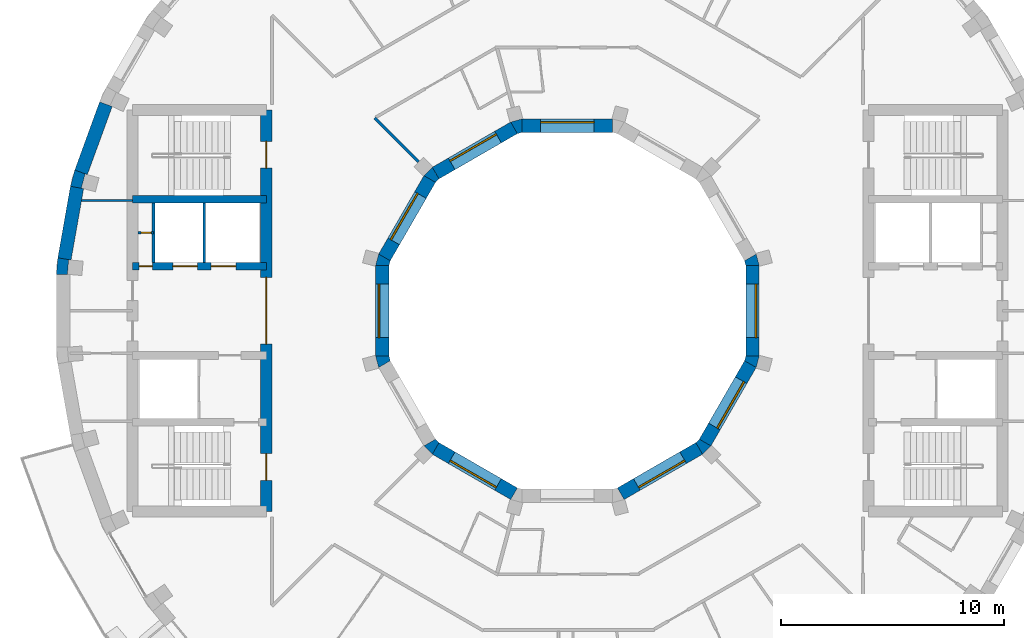
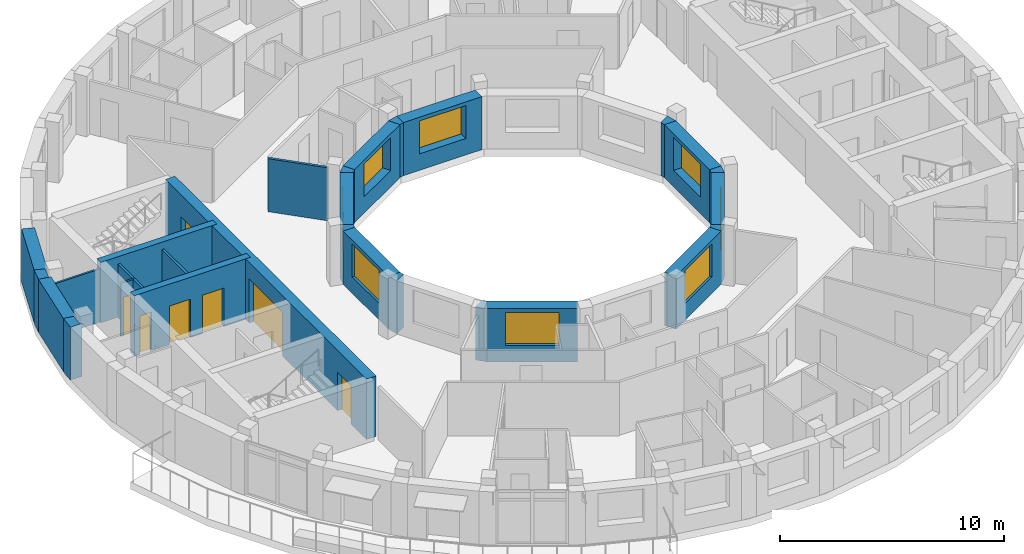
# One storey, part 6 of 12: 28 walls, 8 windows, 7 doors, 15 openings.
"""IFC4 building model written with IfcOpenShell, lengths in metres."""

import ifcopenshell
import ifcopenshell.guid

model = None  # the IFC model being written
_history = None  # IfcOwnerHistory: only IFC2X3 demands one
_inside = {}  # id of a spatial element -> (the spatial element, [elements in it])
_under = {}  # id of a project, library or spatial element -> (it, [spatial elements below it])
_declared = {}  # id of a project -> (the project, [libraries it declares])
_typed = {}  # id of a type object -> (the type object, [elements of that type])
_made_of = {}  # id of a material, layer set ... -> (it, [elements and type objects made of it])


def new_model(schema):
    """Start an empty IFC model of exactly this schema.

    Asked for "IFC4X3", IfcOpenShell would pick the latest addendum, in which some entities
    have other attributes; the version numbers below select the first issue.
    IFC2X3 requires an IfcOwnerHistory on every rooted entity: one is made here for all.
    """
    global model, _history
    if schema == "IFC4X3":
        model = ifcopenshell.file(schema_version=(4, 3, 0, 0))
    else:
        model = ifcopenshell.file(schema=schema)
    _inside.clear()
    _under.clear()
    _declared.clear()
    _typed.clear()
    _made_of.clear()
    _history = None
    if model.schema == "IFC2X3":
        org = make("IfcOrganization", Name="unknown")
        user = make(
            "IfcPersonAndOrganization",
            ThePerson=make("IfcPerson", FamilyName="unknown"),
            TheOrganization=org,
        )
        app = make(
            "IfcApplication",
            ApplicationDeveloper=org,
            Version="unknown",
            ApplicationFullName="unknown",
            ApplicationIdentifier="unknown",
        )
        _history = make(
            "IfcOwnerHistory",
            OwningUser=user,
            OwningApplication=app,
            ChangeAction="ADDED",
            CreationDate=0,
        )
    return model


def make(cls, **values):
    """One entity of the class cls with the attributes given. An attribute that is None is left unset."""
    return model.create_entity(
        cls, **{name: value for name, value in values.items() if value is not None}
    )


def rooted(cls, **values):
    """An entity with a GlobalId (a new one), such as an element, a storey or a relation."""
    return make(cls, GlobalId=ifcopenshell.guid.new(), OwnerHistory=_history, **values)


def si_unit(unit_type, name, prefix=None):
    """IfcSIUnit, for example si_unit("LENGTHUNIT", "METRE", prefix="MILLI")."""
    return make("IfcSIUnit", UnitType=unit_type, Prefix=prefix, Name=name)


def assignment(units):
    """IfcUnitAssignment: the units of a project."""
    return None if units is None else make("IfcUnitAssignment", Units=units)


def point(xyz):
    """IfcCartesianPoint."""
    return None if xyz is None else make("IfcCartesianPoint", Coordinates=xyz)


def direction(xyz):
    """IfcDirection."""
    return None if xyz is None else make("IfcDirection", DirectionRatios=xyz)


def frame(location, z_axis=None, x_axis=None):
    """IfcAxis2Placement3D, a coordinate frame: its origin and axes. An axis left out is left unset."""
    return make(
        "IfcAxis2Placement3D",
        Location=point(location),
        Axis=direction(z_axis),
        RefDirection=direction(x_axis),
    )


def frame_2d(location, x_axis=None):
    """IfcAxis2Placement2D, a coordinate frame in the plane: its origin and x axis."""
    return make(
        "IfcAxis2Placement2D", Location=point(location), RefDirection=direction(x_axis)
    )


def origin():
    """The frame at (0, 0, 0) with its axes left unset."""
    return frame((0.0, 0.0, 0.0))


def place(relative_to, where):
    """IfcLocalPlacement: puts the frame where relative to a parent placement (None: the world)."""
    return make(
        "IfcLocalPlacement", PlacementRelTo=relative_to, RelativePlacement=where
    )


def context(
    kind, dimensions, precision=None, world=None, true_north=None, identifier=None
):
    """IfcGeometricRepresentationContext, for example the 3D "Model" context."""
    return make(
        "IfcGeometricRepresentationContext",
        ContextIdentifier=identifier,
        ContextType=kind,
        CoordinateSpaceDimension=dimensions,
        Precision=precision,
        WorldCoordinateSystem=world,
        TrueNorth=true_north,
    )


def subcontext(parent, identifier, kind, view, scale=None):
    """IfcGeometricRepresentationSubContext, for example "Body" below "Model"."""
    return make(
        "IfcGeometricRepresentationSubContext",
        ContextIdentifier=identifier,
        ContextType=kind,
        ParentContext=parent,
        TargetScale=scale,
        TargetView=view,
    )


def project(units=None, contexts=None):
    """IfcProject with its units and contexts."""
    return rooted(
        "IfcProject",
        Name="project",
        RepresentationContexts=contexts,
        UnitsInContext=assignment(units),
    )


def spatial(cls, under=None, at=None, **own):
    """A site, building, storey or space (cls), placed at a placement, below another one or the project."""
    s = rooted(cls, ObjectPlacement=at, **own)
    if under is not None:
        _under.setdefault(under.id(), (under, []))[1].append(s)
    return s


def polyline(points):
    """IfcPolyline through the points."""
    return make("IfcPolyline", Points=[point(p) for p in points])


def profile(cls, at=None, kind="AREA", **sizes):
    """A parametric profile (cls). Its sizes go by their IFC names, for example OverallWidth=200.0."""
    return make(cls, ProfileType=kind, Position=at, **sizes)


def rectangle(**sizes):
    """IfcRectangleProfileDef."""
    return profile("IfcRectangleProfileDef", **sizes)


def outline(outer, holes=None, kind="AREA"):
    """IfcArbitraryClosedProfileDef: a profile drawn as a closed curve; with holes, ...WithVoids."""
    if holes is None:
        return make("IfcArbitraryClosedProfileDef", ProfileType=kind, OuterCurve=outer)
    return make(
        "IfcArbitraryProfileDefWithVoids",
        ProfileType=kind,
        OuterCurve=outer,
        InnerCurves=holes,
    )


def extrude(swept, where, along, depth):
    """IfcExtrudedAreaSolid: the profile swept, set in the frame where, extruded along a direction by depth."""
    return make(
        "IfcExtrudedAreaSolid",
        SweptArea=swept,
        Position=where,
        ExtrudedDirection=direction(along),
        Depth=depth,
    )


def shape(context_of_items, identifier, shape_type, items):
    """IfcShapeRepresentation: the items that make up one representation, for example the "Body"."""
    return make(
        "IfcShapeRepresentation",
        ContextOfItems=context_of_items,
        RepresentationIdentifier=identifier,
        RepresentationType=shape_type,
        Items=items,
    )


def material(Name=None, Category=None):
    """IfcMaterial."""
    return make("IfcMaterial", Name=Name, Category=Category)


def layer(
    of_material, thickness, ventilated=None, Name=None, Category=None, Priority=None
):
    """IfcMaterialLayer: one layer of a wall or slab, of a material (None: an air gap)."""
    return make(
        "IfcMaterialLayer",
        Material=of_material,
        LayerThickness=thickness,
        IsVentilated=ventilated,
        Name=Name,
        Category=Category,
        Priority=Priority,
    )


def layer_set(layers, Name=None):
    """IfcMaterialLayerSet."""
    return make("IfcMaterialLayerSet", MaterialLayers=layers, LayerSetName=Name)


def made_of(thing, what):
    """Note that an element or type object is made of a material, layer set ...; save() writes the relation."""
    if what is not None:
        _made_of.setdefault(what.id(), (what, []))[1].append(thing)
    return thing


def type_object(cls, material=None, **own):
    """A type object (cls), such as IfcWallType, which elements share."""
    return made_of(rooted(cls, **own), material)


def element(
    cls,
    number,
    at=None,
    inside=None,
    cuts=None,
    type_object=None,
    material=None,
    context=None,
    identifier="Body",
    shape_type=None,
    held_by="IfcProductDefinitionShape",
    body=None,
    shapes=None,
    **own,
):
    """One element of the class cls, such as IfcWall. Its Tag is "e" and its number.

    at: its placement. inside: the storey or other place that contains it. cuts: it is an
    opening in that element (IfcRelVoidsElement). A single representation is given by context,
    identifier, shape_type and body (its items); several are given by shapes. held_by: the class
    of the entity that holds the representations. save() writes the other relations.
    """
    e = rooted(cls, Tag="e%d" % number, ObjectPlacement=at, **own)
    if body is not None:
        shapes = [shape(context, identifier, shape_type, body)]
    if shapes is not None:
        e.Representation = make(held_by, Representations=shapes)
    if inside is not None:
        _inside.setdefault(inside.id(), (inside, []))[1].append(e)
    if cuts is not None:
        rooted(
            "IfcRelVoidsElement", RelatingBuildingElement=cuts, RelatedOpeningElement=e
        )
    if type_object is not None:
        _typed.setdefault(type_object.id(), (type_object, []))[1].append(e)
    return made_of(e, material)


def fill(opening, filler):
    """IfcRelFillsElement: the door or window that sits in an opening."""
    return rooted(
        "IfcRelFillsElement",
        RelatingOpeningElement=opening,
        RelatedBuildingElement=filler,
    )


def aggregate(whole, parts):
    """IfcRelAggregates: a whole, such as a stair, and the parts it consists of."""
    return rooted("IfcRelAggregates", RelatingObject=whole, RelatedObjects=parts)


def save(model, path):
    """Write the relations noted so far, then the file.

    IfcRelAggregates (storeys below a building ...), IfcRelContainedInSpatialStructure (elements
    in a storey), IfcRelDefinesByType, IfcRelAssociatesMaterial and IfcRelDeclares: one each for
    every whole, place, type object, material and project.
    """
    for whole, parts in _under.values():
        aggregate(whole, parts)
    for where, things in _inside.values():
        rooted(
            "IfcRelContainedInSpatialStructure",
            RelatedElements=things,
            RelatingStructure=where,
        )
    for kind, things in _typed.values():
        rooted("IfcRelDefinesByType", RelatedObjects=things, RelatingType=kind)
    for what, things in _made_of.values():
        rooted("IfcRelAssociatesMaterial", RelatedObjects=things, RelatingMaterial=what)
    for by, libraries in _declared.values():
        rooted("IfcRelDeclares", RelatingContext=by, RelatedDefinitions=libraries)
    model.write(path)


model = new_model("IFC4")

# Units and contexts
model_context = context("Model", 3, precision=1e-05, world=origin(), true_north=direction((0.0, 1.0)))
body_context = subcontext(model_context, "Body", "Model", "MODEL_VIEW")
ifc_project = project(units=[si_unit("LENGTHUNIT", "METRE"), si_unit("AREAUNIT", "SQUARE_METRE"), si_unit("VOLUMEUNIT", "CUBIC_METRE"), si_unit("PLANEANGLEUNIT", "RADIAN"), si_unit("MASSUNIT", "GRAM", prefix="KILO")], contexts=[model_context])

# Site, building, storey
site_placement = place(None, origin())
site = spatial("IfcSite", under=ifc_project, at=site_placement, CompositionType="ELEMENT")
building_placement = place(site_placement, origin())
building = spatial("IfcBuilding", under=site, at=building_placement, Name="Saqina Gate Tower", CompositionType="ELEMENT")
storey_placement = place(building_placement, frame((0.0, 0.0, 266.0)))
storey = spatial("IfcBuildingStorey", under=building, at=storey_placement, Name="L76", CompositionType="ELEMENT", Elevation=266.0)

# Walls
ifc_material_1 = material(Name="Brick masonry (buff)", Category="masonry")
wall_type_1 = type_object("IfcWallType", Name="BRICK PIER COPING BUFF", PredefinedType="SOLIDWALL", material=ifc_material_1)
wall_1_placement = place(storey_placement, origin())
element("IfcWall", 1, at=wall_1_placement, inside=storey, type_object=wall_type_1, Name="Pier cap L76 column 17", PredefinedType="SOLIDWALL", context=body_context, shape_type="SweptSolid", body=[
    extrude(outline(polyline([(-22.281982421875, 5.579833984375), (-21.691162109375, 5.4755859375), (-21.793212890625, 5.5029296875), (-21.625, 6.130859375), (-21.52294921875, 6.103515625), (-22.0869140625, 6.30859375), (-22.281982421875, 5.579833984375)])), origin(), (0.0, 0.0, 1.0), 2.89990234375),
])
wall_2_placement = place(storey_placement, origin())
element("IfcWall", 2, at=wall_2_placement, inside=storey, type_object=wall_type_1, Name="Pier cap L76 column 18", PredefinedType="SOLIDWALL", context=body_context, shape_type="SweptSolid", body=[
    extrude(outline(polyline([(-22.8466796875, 2.377685546875), (-22.91259765625, 1.625732421875), (-22.3125, 1.625732421875), (-22.417724609375, 1.635009765625), (-22.361083984375, 2.28271484375), (-22.255859375, 2.2734375), (-22.8466796875, 2.377685546875)])), origin(), (0.0, 0.0, 1.0), 2.89990234375),
])

# Wall, opening, door
ifc_material_2 = material(Name="Gypsum board on steel studs", Category="steel")
ifc_layer_1 = layer(ifc_material_2, 0.10009765625)
ifc_layer_set_1 = layer_set([ifc_layer_1], Name="CORE PARTITION")
wall_type_2 = type_object("IfcWallType", Name="CORE PARTITION", PredefinedType="PARTITIONING", material=ifc_layer_set_1)
wall_3_placement = place(storey_placement, frame((-18.56005859375, 3.5, 0.0), z_axis=(0.0, 0.0, 1.0), x_axis=(-1.0, 0.0, 0.0)))
wall_3 = element("IfcWall", 3, at=wall_3_placement, inside=storey, type_object=wall_type_2, Name="L76-CP-W01", PredefinedType="PARTITIONING", context=body_context, shape_type="SweptSolid", body=[
    extrude(rectangle(XDim=0.68994140625, YDim=0.10009765625, at=frame_2d((0.344970703125, 0.0))), origin(), (0.0, 0.0, 1.0), 2.89990234375),
])
opening_1_placement = place(wall_3_placement, frame((0.10009765625, 0.0, 0.0)))
opening_1 = element("IfcOpeningElement", 4, at=opening_1_placement, cuts=wall_3, Name="Opening G22-D105", PredefinedType="OPENING", context=body_context, shape_type="SweptSolid", body=[
    extrude(rectangle(XDim=0.449951171875, YDim=2.10009765625, at=frame_2d((0.22509765625, 1.050048828125))), frame((0.0, 0.06201171875, 0.0), z_axis=(0.0, -1.0, 0.0), x_axis=(1.0, 0.0, 0.0)), (0.0, 0.0, 1.0), 0.1240234375),
])
ifc_material_3 = material(Name="Steel-framed fire door leaf, EI 60", Category="steel")
door_type_1 = type_object("IfcDoorType", Name="SERVICE ROOM DOOR 450", OperationType="SINGLE_SWING_LEFT", PredefinedType="DOOR", material=ifc_material_3)
door_1_placement = place(opening_1_placement, origin())
door_1 = element("IfcDoor", 5, at=door_1_placement, inside=storey, type_object=door_type_1, Name="L76-CD-W16", OperationType="SINGLE_SWING_RIGHT", OverallHeight=2.10009765625, OverallWidth=0.449951171875, PredefinedType="DOOR", context=body_context, shape_type="SweptSolid", body=[
    extrude(rectangle(XDim=0.449951171875, YDim=2.10009765625, at=frame_2d((0.22509765625, 1.050048828125))), frame((0.0, 0.02490234375, 0.0), z_axis=(0.0, -1.0, 0.0), x_axis=(1.0, 0.0, 0.0)), (0.0, 0.0, 1.0), 0.050048828125),
])
fill(opening_1, door_1)

# Walls
wall_4_placement = place(storey_placement, frame((-19.5, 4.949951171875, 0.0), z_axis=(0.0, 0.0, 1.0), x_axis=(-1.0, 0.0, 0.0)))
element("IfcWall", 6, at=wall_4_placement, inside=storey, type_object=wall_type_2, Name="L76-CP-W02", PredefinedType="PARTITIONING", context=body_context, shape_type="SweptSolid", body=[
    extrude(rectangle(XDim=2.283935546875, YDim=0.10009765625, at=frame_2d((1.14208984375, 0.0))), origin(), (0.0, 0.0, 1.0), 2.89990234375),
])
ifc_material_4 = material(Name="Glazed ceramic tile", Category="ceramic")
ifc_layer_2 = layer(ifc_material_4, 0.60009765625)
ifc_layer_set_2 = layer_set([ifc_layer_2], Name="FW-TILE")
wall_type_3 = type_object("IfcWallType", Name="FW-TILE", PredefinedType="SOLIDWALL", material=ifc_layer_set_2)
wall_5_placement = place(storey_placement, frame((-21.986572265625, 5.52783203125, 0.0), z_axis=(0.0, 0.0, 1.0), x_axis=(-0.173656842178, -0.984806225186, 0.0)))
element("IfcWall", 7, at=wall_5_placement, inside=storey, type_object=wall_type_3, Name="Facade wall L76 facet 17", PredefinedType="SOLIDWALL", context=body_context, shape_type="SweptSolid", body=[
    extrude(rectangle(XDim=3.251708984375, YDim=0.60009765625, at=frame_2d((1.6259765625, 0.0))), origin(), (0.0, 0.0, 1.0), 2.89990234375),
])
ifc_material_5 = material(Name="Glazed ceramic tile (white)", Category="ceramic")
ifc_layer_3 = layer(ifc_material_5, 0.60009765625)
ifc_layer_set_3 = layer_set([ifc_layer_3], Name="FW-TILE-WH")
wall_type_4 = type_object("IfcWallType", Name="FW-TILE-WH", PredefinedType="SOLIDWALL", material=ifc_layer_set_3)
wall_6_placement = place(storey_placement, frame((-20.692626953125, 9.26171875, 0.0), z_axis=(0.0, 0.0, 1.0), x_axis=(-0.342056509473, -0.939679383794, 0.0)))
element("IfcWall", 8, at=wall_6_placement, inside=storey, type_object=wall_type_4, Name="Facade wall L76 facet 16", PredefinedType="SOLIDWALL", context=body_context, shape_type="SweptSolid", body=[
    extrude(rectangle(XDim=3.251708984375, YDim=0.60009765625, at=frame_2d((1.6259765625, 0.0))), origin(), (0.0, 0.0, 1.0), 2.89990234375),
])

# Wall, opening, window
ifc_material_6 = material(Name="Glazed ceramic tile", Category="ceramic")
ifc_layer_4 = layer(ifc_material_6, 0.60009765625)
ifc_layer_set_4 = layer_set([ifc_layer_4], Name="IW-TILE")
wall_type_5 = type_object("IfcWallType", Name="IW-TILE", PredefinedType="SOLIDWALL", material=ifc_layer_set_4)
wall_7_placement = place(storey_placement, frame((2.029296875, 8.300048828125, 0.0), z_axis=(0.0, 0.0, 1.0), x_axis=(-1.0, 0.0, 0.0)))
wall_7 = element("IfcWall", 9, at=wall_7_placement, inside=storey, type_object=wall_type_5, Name="Well wall L76 facet 3", PredefinedType="SOLIDWALL", context=body_context, shape_type="SweptSolid", body=[
    extrude(rectangle(XDim=4.05859375, YDim=0.60009765625, at=frame_2d((2.029296875, 0.0))), origin(), (0.0, 0.0, 1.0), 2.89990234375),
])
opening_2_placement = place(wall_7_placement, frame((0.829345703125, 0.0, 0.89990234375)))
opening_2 = element("IfcOpeningElement", 10, at=opening_2_placement, cuts=wall_7, Name="Opening G22-W25", PredefinedType="OPENING", context=body_context, shape_type="SweptSolid", body=[
    extrude(rectangle(XDim=2.39990234375, YDim=1.800048828125, at=frame_2d((1.199951171875, 0.89990234375))), frame((0.0, 0.31201171875, 0.0), z_axis=(0.0, -1.0, 0.0), x_axis=(1.0, 0.0, 0.0)), (0.0, 0.0, 1.0), 0.6240234375),
])
ifc_material_7 = material(Name="Aluminium glazing", Category="aluminium")
window_type = type_object("IfcWindowType", Name="WN-W", PartitioningType="SINGLE_PANEL", PredefinedType="WINDOW", material=ifc_material_7)
window_1_placement = place(opening_2_placement, origin())
window_1 = element("IfcWindow", 11, at=window_1_placement, inside=storey, type_object=window_type, Name="Well window L76 facet 3", OverallHeight=1.800048828125, OverallWidth=2.39990234375, PartitioningType="SINGLE_PANEL", PredefinedType="WINDOW", context=body_context, shape_type="SweptSolid", body=[
    extrude(rectangle(XDim=2.39990234375, YDim=1.800048828125, at=frame_2d((1.199951171875, 0.89990234375))), frame((0.0, -0.119873046875, 0.0), z_axis=(0.0, -1.0, 0.0), x_axis=(1.0, 0.0, 0.0)), (0.0, 0.0, 1.0), 0.06005859375),
])
fill(opening_2, window_1)

wall_8_placement = place(storey_placement, frame((-2.392578125, 8.20263671875, 0.0), z_axis=(0.0, 0.0, 1.0), x_axis=(-0.866028316509, -0.499994954979, 0.0)))
wall_8 = element("IfcWall", 12, at=wall_8_placement, inside=storey, type_object=wall_type_5, Name="Well wall L76 facet 4", PredefinedType="SOLIDWALL", context=body_context, shape_type="SweptSolid", body=[
    extrude(rectangle(XDim=4.05859375, YDim=0.60009765625, at=frame_2d((2.029296875, 0.0))), origin(), (0.0, 0.0, 1.0), 2.89990234375),
])
opening_3_placement = place(wall_8_placement, frame((0.829345703125, 0.0, 0.89990234375)))
opening_3 = element("IfcOpeningElement", 13, at=opening_3_placement, cuts=wall_8, Name="Opening G22-W26", PredefinedType="OPENING", context=body_context, shape_type="SweptSolid", body=[
    extrude(rectangle(XDim=2.39990234375, YDim=1.800048828125, at=frame_2d((1.199951171875, 0.89990234375))), frame((0.0, 0.31201171875, 0.0), z_axis=(0.0, -1.0, 0.0), x_axis=(1.0, 0.0, 0.0)), (0.0, 0.0, 1.0), 0.6240234375),
])
window_2_placement = place(opening_3_placement, origin())
window_2 = element("IfcWindow", 14, at=window_2_placement, inside=storey, type_object=window_type, Name="Well window L76 facet 4", OverallHeight=1.800048828125, OverallWidth=2.39990234375, PartitioningType="SINGLE_PANEL", PredefinedType="WINDOW", context=body_context, shape_type="SweptSolid", body=[
    extrude(rectangle(XDim=2.39990234375, YDim=1.800048828125, at=frame_2d((1.199951171875, 0.89990234375))), frame((0.0, -0.119873046875, 0.0), z_axis=(0.0, -1.0, 0.0), x_axis=(1.0, 0.0, 0.0)), (0.0, 0.0, 1.0), 0.06005859375),
])
fill(opening_3, window_2)

wall_9_placement = place(storey_placement, frame((-6.17333984375, 5.907470703125, 0.0), z_axis=(0.0, 0.0, 1.0), x_axis=(-0.499994954979, -0.866028316509, 0.0)))
wall_9 = element("IfcWall", 15, at=wall_9_placement, inside=storey, type_object=wall_type_5, Name="Well wall L76 facet 5", PredefinedType="SOLIDWALL", context=body_context, shape_type="SweptSolid", body=[
    extrude(rectangle(XDim=4.05859375, YDim=0.60009765625, at=frame_2d((2.029296875, 0.0))), origin(), (0.0, 0.0, 1.0), 2.89990234375),
])
opening_4_placement = place(wall_9_placement, frame((0.829345703125, 0.0, 0.89990234375)))
opening_4 = element("IfcOpeningElement", 16, at=opening_4_placement, cuts=wall_9, Name="Opening G22-W27", PredefinedType="OPENING", context=body_context, shape_type="SweptSolid", body=[
    extrude(rectangle(XDim=2.39990234375, YDim=1.800048828125, at=frame_2d((1.199951171875, 0.89990234375))), frame((0.0, 0.31201171875, 0.0), z_axis=(0.0, -1.0, 0.0), x_axis=(1.0, 0.0, 0.0)), (0.0, 0.0, 1.0), 0.6240234375),
])
window_3_placement = place(opening_4_placement, origin())
window_3 = element("IfcWindow", 17, at=window_3_placement, inside=storey, type_object=window_type, Name="Well window L76 facet 5", OverallHeight=1.800048828125, OverallWidth=2.39990234375, PartitioningType="SINGLE_PANEL", PredefinedType="WINDOW", context=body_context, shape_type="SweptSolid", body=[
    extrude(rectangle(XDim=2.39990234375, YDim=1.800048828125, at=frame_2d((1.199951171875, 0.89990234375))), frame((0.0, -0.119873046875, 0.0), z_axis=(0.0, -1.0, 0.0), x_axis=(1.0, 0.0, 0.0)), (0.0, 0.0, 1.0), 0.06005859375),
])
fill(opening_4, window_3)

wall_10_placement = place(storey_placement, frame((-8.300048828125, 2.029296875, 0.0), z_axis=(0.0, 0.0, 1.0), x_axis=(0.0, -1.0, 0.0)))
wall_10 = element("IfcWall", 18, at=wall_10_placement, inside=storey, type_object=wall_type_5, Name="Well wall L76 facet 6", PredefinedType="SOLIDWALL", context=body_context, shape_type="SweptSolid", body=[
    extrude(rectangle(XDim=4.05859375, YDim=0.60009765625, at=frame_2d((2.029296875, 0.0))), origin(), (0.0, 0.0, 1.0), 2.89990234375),
])
opening_5_placement = place(wall_10_placement, frame((0.829345703125, 0.0, 0.89990234375)))
opening_5 = element("IfcOpeningElement", 19, at=opening_5_placement, cuts=wall_10, Name="Opening G22-W28", PredefinedType="OPENING", context=body_context, shape_type="SweptSolid", body=[
    extrude(rectangle(XDim=2.39990234375, YDim=1.800048828125, at=frame_2d((1.199951171875, 0.89990234375))), frame((0.0, 0.31201171875, 0.0), z_axis=(0.0, -1.0, 0.0), x_axis=(1.0, 0.0, 0.0)), (0.0, 0.0, 1.0), 0.6240234375),
])
window_4_placement = place(opening_5_placement, origin())
window_4 = element("IfcWindow", 20, at=window_4_placement, inside=storey, type_object=window_type, Name="Well window L76 facet 6", OverallHeight=1.800048828125, OverallWidth=2.39990234375, PartitioningType="SINGLE_PANEL", PredefinedType="WINDOW", context=body_context, shape_type="SweptSolid", body=[
    extrude(rectangle(XDim=2.39990234375, YDim=1.800048828125, at=frame_2d((1.199951171875, 0.89990234375))), frame((0.0, -0.119873046875, 0.0), z_axis=(0.0, -1.0, 0.0), x_axis=(1.0, 0.0, 0.0)), (0.0, 0.0, 1.0), 0.06005859375),
])
fill(opening_5, window_4)

wall_11_placement = place(storey_placement, frame((-5.907470703125, -6.17333984375, 0.0), z_axis=(0.0, 0.0, 1.0), x_axis=(0.866028316509, -0.499994954979, 0.0)))
wall_11 = element("IfcWall", 21, at=wall_11_placement, inside=storey, type_object=wall_type_5, Name="Well wall L76 facet 8", PredefinedType="SOLIDWALL", context=body_context, shape_type="SweptSolid", body=[
    extrude(rectangle(XDim=4.05859375, YDim=0.60009765625, at=frame_2d((2.029296875, 0.0))), origin(), (0.0, 0.0, 1.0), 2.89990234375),
])
opening_6_placement = place(wall_11_placement, frame((0.829345703125, 0.0, 0.89990234375)))
opening_6 = element("IfcOpeningElement", 22, at=opening_6_placement, cuts=wall_11, Name="Opening G22-W30", PredefinedType="OPENING", context=body_context, shape_type="SweptSolid", body=[
    extrude(rectangle(XDim=2.39990234375, YDim=1.800048828125, at=frame_2d((1.199951171875, 0.89990234375))), frame((0.0, 0.31201171875, 0.0), z_axis=(0.0, -1.0, 0.0), x_axis=(1.0, 0.0, 0.0)), (0.0, 0.0, 1.0), 0.6240234375),
])
window_5_placement = place(opening_6_placement, origin())
window_5 = element("IfcWindow", 23, at=window_5_placement, inside=storey, type_object=window_type, Name="Well window L76 facet 8", OverallHeight=1.800048828125, OverallWidth=2.39990234375, PartitioningType="SINGLE_PANEL", PredefinedType="WINDOW", context=body_context, shape_type="SweptSolid", body=[
    extrude(rectangle(XDim=2.39990234375, YDim=1.800048828125, at=frame_2d((1.199951171875, 0.89990234375))), frame((0.0, -0.119873046875, 0.0), z_axis=(0.0, -1.0, 0.0), x_axis=(1.0, 0.0, 0.0)), (0.0, 0.0, 1.0), 0.06005859375),
])
fill(opening_6, window_5)

wall_12_placement = place(storey_placement, frame((2.392578125, -8.20263671875, 0.0), z_axis=(0.0, 0.0, 1.0), x_axis=(0.866028316509, 0.499994954979, 0.0)))
wall_12 = element("IfcWall", 24, at=wall_12_placement, inside=storey, type_object=wall_type_5, Name="Well wall L76 facet 10", PredefinedType="SOLIDWALL", context=body_context, shape_type="SweptSolid", body=[
    extrude(rectangle(XDim=4.05859375, YDim=0.60009765625, at=frame_2d((2.029296875, 0.0))), origin(), (0.0, 0.0, 1.0), 2.89990234375),
])
opening_7_placement = place(wall_12_placement, frame((0.829345703125, 0.0, 0.89990234375)))
opening_7 = element("IfcOpeningElement", 25, at=opening_7_placement, cuts=wall_12, Name="Opening G22-W32", PredefinedType="OPENING", context=body_context, shape_type="SweptSolid", body=[
    extrude(rectangle(XDim=2.39990234375, YDim=1.800048828125, at=frame_2d((1.199951171875, 0.89990234375))), frame((0.0, 0.31201171875, 0.0), z_axis=(0.0, -1.0, 0.0), x_axis=(1.0, 0.0, 0.0)), (0.0, 0.0, 1.0), 0.6240234375),
])
window_6_placement = place(opening_7_placement, origin())
window_6 = element("IfcWindow", 26, at=window_6_placement, inside=storey, type_object=window_type, Name="Well window L76 facet 10", OverallHeight=1.800048828125, OverallWidth=2.39990234375, PartitioningType="SINGLE_PANEL", PredefinedType="WINDOW", context=body_context, shape_type="SweptSolid", body=[
    extrude(rectangle(XDim=2.39990234375, YDim=1.800048828125, at=frame_2d((1.199951171875, 0.89990234375))), frame((0.0, -0.119873046875, 0.0), z_axis=(0.0, -1.0, 0.0), x_axis=(1.0, 0.0, 0.0)), (0.0, 0.0, 1.0), 0.06005859375),
])
fill(opening_7, window_6)

wall_13_placement = place(storey_placement, frame((6.17333984375, -5.907470703125, 0.0), z_axis=(0.0, 0.0, 1.0), x_axis=(0.499994954979, 0.866028316509, 0.0)))
wall_13 = element("IfcWall", 27, at=wall_13_placement, inside=storey, type_object=wall_type_5, Name="Well wall L76 facet 11", PredefinedType="SOLIDWALL", context=body_context, shape_type="SweptSolid", body=[
    extrude(rectangle(XDim=4.05859375, YDim=0.60009765625, at=frame_2d((2.029296875, 0.0))), origin(), (0.0, 0.0, 1.0), 2.89990234375),
])
opening_8_placement = place(wall_13_placement, frame((0.829345703125, 0.0, 0.89990234375)))
opening_8 = element("IfcOpeningElement", 28, at=opening_8_placement, cuts=wall_13, Name="Opening G22-W33", PredefinedType="OPENING", context=body_context, shape_type="SweptSolid", body=[
    extrude(rectangle(XDim=2.39990234375, YDim=1.800048828125, at=frame_2d((1.199951171875, 0.89990234375))), frame((0.0, 0.31201171875, 0.0), z_axis=(0.0, -1.0, 0.0), x_axis=(1.0, 0.0, 0.0)), (0.0, 0.0, 1.0), 0.6240234375),
])
window_7_placement = place(opening_8_placement, origin())
window_7 = element("IfcWindow", 29, at=window_7_placement, inside=storey, type_object=window_type, Name="Well window L76 facet 11", OverallHeight=1.800048828125, OverallWidth=2.39990234375, PartitioningType="SINGLE_PANEL", PredefinedType="WINDOW", context=body_context, shape_type="SweptSolid", body=[
    extrude(rectangle(XDim=2.39990234375, YDim=1.800048828125, at=frame_2d((1.199951171875, 0.89990234375))), frame((0.0, -0.119873046875, 0.0), z_axis=(0.0, -1.0, 0.0), x_axis=(1.0, 0.0, 0.0)), (0.0, 0.0, 1.0), 0.06005859375),
])
fill(opening_8, window_7)

wall_14_placement = place(storey_placement, frame((8.300048828125, -2.029296875, 0.0), z_axis=(0.0, 0.0, 1.0), x_axis=(0.0, 1.0, 0.0)))
wall_14 = element("IfcWall", 30, at=wall_14_placement, inside=storey, type_object=wall_type_5, Name="Well wall L76 facet 12", PredefinedType="SOLIDWALL", context=body_context, shape_type="SweptSolid", body=[
    extrude(rectangle(XDim=4.05859375, YDim=0.60009765625, at=frame_2d((2.029296875, 0.0))), origin(), (0.0, 0.0, 1.0), 2.89990234375),
])
opening_9_placement = place(wall_14_placement, frame((0.829345703125, 0.0, 0.89990234375)))
opening_9 = element("IfcOpeningElement", 31, at=opening_9_placement, cuts=wall_14, Name="Opening G22-W34", PredefinedType="OPENING", context=body_context, shape_type="SweptSolid", body=[
    extrude(rectangle(XDim=2.39990234375, YDim=1.800048828125, at=frame_2d((1.199951171875, 0.89990234375))), frame((0.0, 0.31201171875, 0.0), z_axis=(0.0, -1.0, 0.0), x_axis=(1.0, 0.0, 0.0)), (0.0, 0.0, 1.0), 0.6240234375),
])
window_8_placement = place(opening_9_placement, origin())
window_8 = element("IfcWindow", 32, at=window_8_placement, inside=storey, type_object=window_type, Name="Well window L76 facet 12", OverallHeight=1.800048828125, OverallWidth=2.39990234375, PartitioningType="SINGLE_PANEL", PredefinedType="WINDOW", context=body_context, shape_type="SweptSolid", body=[
    extrude(rectangle(XDim=2.39990234375, YDim=1.800048828125, at=frame_2d((1.199951171875, 0.89990234375))), frame((0.0, -0.119873046875, 0.0), z_axis=(0.0, -1.0, 0.0), x_axis=(1.0, 0.0, 0.0)), (0.0, 0.0, 1.0), 0.06005859375),
])
fill(opening_9, window_8)

# Walls
ifc_material_8 = material(Name="Gypsum board on steel studs, 125 mm, fire rated", Category="steel")
ifc_layer_5 = layer(ifc_material_8, 0.125)
ifc_layer_set_5 = layer_set([ifc_layer_5], Name="PARTITION EI 30 125")
wall_type_6 = type_object("IfcWallType", Name="PARTITION EI 30 125", PredefinedType="PARTITIONING", material=ifc_layer_set_5)
wall_15_placement = place(storey_placement, frame((-8.64599609375, 8.64599609375, 0.0), z_axis=(0.0, 0.0, 1.0), x_axis=(0.707106781187, -0.707106781187, 0.0)))
element("IfcWall", 33, at=wall_15_placement, inside=storey, type_object=wall_type_6, Name="PARTITION PW1-05", PredefinedType="PARTITIONING", context=body_context, shape_type="SweptSolid", body=[
    extrude(rectangle(XDim=2.784912109375, YDim=0.125, at=frame_2d((1.392578125, 0.0))), origin(), (0.0, 0.0, 1.0), 2.89990234375),
])
ifc_material_9 = material(Name="Autoclaved aerated concrete block", Category="concrete")
ifc_layer_6 = layer(ifc_material_9, 0.1201171875)
ifc_layer_set_6 = layer_set([ifc_layer_6], Name="SHAFT PARTITION")
wall_type_7 = type_object("IfcWallType", Name="SHAFT PARTITION", PredefinedType="PARTITIONING", material=ifc_layer_set_6)
for number, where, z_axis, x_axis, name in (
    (34, (-16.280029296875, 2.175048828125, 0.0), (0.0, 0.0, 1.0), (0.0, 1.0, 0.0), "L76-CP-W06"),
    (35, (-18.56005859375, 2.175048828125, 0.0), (0.0, 0.0, 1.0), (0.0, 1.0, 0.0), "L76-CP-W07"),
):
    element("IfcWall", number, at=place(storey_placement, frame(where, z_axis=z_axis, x_axis=x_axis)), inside=storey, type_object=wall_type_7, Name=name, PredefinedType="PARTITIONING", context=body_context, shape_type="SweptSolid", body=[
        extrude(rectangle(XDim=2.64990234375, YDim=0.1201171875, at=frame_2d((1.324951171875, 0.0))), origin(), (0.0, 0.0, 1.0), 2.89990234375),
    ])
ifc_material_10 = material(Name="Concrete C60/75", Category="concrete")
ifc_layer_7 = layer(ifc_material_10, 0.35009765625)
ifc_layer_set_7 = layer_set([ifc_layer_7], Name="Concrete C60/75")
wall_type_8 = type_object("IfcWallType", Name="STR-CORE WALL-D-I", PredefinedType="SHEAR", material=ifc_layer_set_7)
wall_16_placement = place(storey_placement, frame((-13.5, 5.0, 0.0), z_axis=(0.0, 0.0, 1.0), x_axis=(-1.0, 0.0, 0.0)))
element("IfcWall", 36, at=wall_16_placement, inside=storey, type_object=wall_type_8, Name="CORE WALL L76 W-X1", PredefinedType="SHEAR", context=body_context, shape_type="SweptSolid", body=[
    extrude(rectangle(XDim=6.0, YDim=0.35009765625, at=frame_2d((3.0, 0.0))), origin(), (0.0, 0.0, 1.0), 3.300048828125),
])

# Wall, openings, doors
wall_17_placement = place(storey_placement, frame((-13.5, 2.0, 0.0), z_axis=(0.0, 0.0, 1.0), x_axis=(-1.0, 0.0, 0.0)))
wall_17 = element("IfcWall", 37, at=wall_17_placement, inside=storey, type_object=wall_type_8, Name="CORE WALL L76 W-L1", PredefinedType="SHEAR", context=body_context, shape_type="SweptSolid", body=[
    extrude(rectangle(XDim=6.0, YDim=0.35009765625, at=frame_2d((3.0, 0.0))), origin(), (0.0, 0.0, 1.0), 3.300048828125),
])
opening_10_placement = place(wall_17_placement, frame((1.3701171875, 0.0, 0.0)))
opening_10 = element("IfcOpeningElement", 38, at=opening_10_placement, cuts=wall_17, Name="Opening G22-LD4", PredefinedType="OPENING", context=body_context, shape_type="SweptSolid", body=[
    extrude(rectangle(XDim=1.10009765625, YDim=2.10009765625, at=frame_2d((0.550048828125, 1.050048828125))), frame((0.0, 0.18701171875, 0.0), z_axis=(0.0, -1.0, 0.0), x_axis=(1.0, 0.0, 0.0)), (0.0, 0.0, 1.0), 0.3740234375),
])
opening_11_placement = place(wall_17_placement, frame((3.090087890625, 0.0, 0.0)))
opening_11 = element("IfcOpeningElement", 39, at=opening_11_placement, cuts=wall_17, Name="Opening G22-LD5", PredefinedType="OPENING", context=body_context, shape_type="SweptSolid", body=[
    extrude(rectangle(XDim=1.10009765625, YDim=2.10009765625, at=frame_2d((0.550048828125, 1.050048828125))), frame((0.0, 0.18701171875, 0.0), z_axis=(0.0, -1.0, 0.0), x_axis=(1.0, 0.0, 0.0)), (0.0, 0.0, 1.0), 0.3740234375),
])
opening_12_placement = place(wall_17_placement, frame((5.10498046875, 0.0, 0.0)))
opening_12 = element("IfcOpeningElement", 40, at=opening_12_placement, cuts=wall_17, Name="Opening G22-D100", PredefinedType="OPENING", context=body_context, shape_type="SweptSolid", body=[
    extrude(rectangle(XDim=0.60009765625, YDim=2.10009765625, at=frame_2d((0.300048828125, 1.050048828125))), frame((0.0, 0.18701171875, 0.0), z_axis=(0.0, -1.0, 0.0), x_axis=(1.0, 0.0, 0.0)), (0.0, 0.0, 1.0), 0.3740234375),
])
ifc_material_11 = material(Name="Stainless steel", Category="steel")
door_type_2 = type_object("IfcDoorType", Name="LANDING DOOR", OperationType="DOUBLE_DOOR_SLIDING", PredefinedType="DOOR", material=ifc_material_11)
door_2_placement = place(opening_10_placement, origin())
door_2 = element("IfcDoor", 41, at=door_2_placement, inside=storey, type_object=door_type_2, Name="LANDING DOOR HR3", OperationType="DOUBLE_DOOR_SLIDING", OverallHeight=2.10009765625, OverallWidth=1.10009765625, PredefinedType="DOOR", context=body_context, shape_type="SweptSolid", body=[
    extrude(rectangle(XDim=1.10009765625, YDim=2.10009765625, at=frame_2d((0.550048828125, 1.050048828125))), frame((0.0, 0.02490234375, 0.0), z_axis=(0.0, -1.0, 0.0), x_axis=(1.0, 0.0, 0.0)), (0.0, 0.0, 1.0), 0.050048828125),
])
fill(opening_10, door_2)
door_3_placement = place(opening_11_placement, origin())
door_3 = element("IfcDoor", 42, at=door_3_placement, inside=storey, type_object=door_type_2, Name="LANDING DOOR HR4", OperationType="DOUBLE_DOOR_SLIDING", OverallHeight=2.10009765625, OverallWidth=1.10009765625, PredefinedType="DOOR", context=body_context, shape_type="SweptSolid", body=[
    extrude(rectangle(XDim=1.10009765625, YDim=2.10009765625, at=frame_2d((0.550048828125, 1.050048828125))), frame((0.0, 0.02490234375, 0.0), z_axis=(0.0, -1.0, 0.0), x_axis=(1.0, 0.0, 0.0)), (0.0, 0.0, 1.0), 0.050048828125),
])
fill(opening_11, door_3)
ifc_material_12 = material(Name="Steel-framed fire door leaf, EI 60", Category="steel")
door_type_3 = type_object("IfcDoorType", Name="SERVICE ROOM DOOR 600", OperationType="SINGLE_SWING_LEFT", PredefinedType="DOOR", material=ifc_material_12)
door_4_placement = place(opening_12_placement, frame((0.60009765625, 0.0, 0.0), z_axis=(0.0, 0.0, 1.0), x_axis=(-1.0, 0.0, 0.0)))
door_4 = element("IfcDoor", 43, at=door_4_placement, inside=storey, type_object=door_type_3, Name="L76-CD-W11", OperationType="SINGLE_SWING_LEFT", OverallHeight=2.10009765625, OverallWidth=0.60009765625, PredefinedType="DOOR", context=body_context, shape_type="SweptSolid", body=[
    extrude(rectangle(XDim=0.60009765625, YDim=2.10009765625, at=frame_2d((0.300048828125, 1.050048828125))), frame((0.0, 0.02490234375, 0.0), z_axis=(0.0, -1.0, 0.0), x_axis=(1.0, 0.0, 0.0)), (0.0, 0.0, 1.0), 0.050048828125),
])
fill(opening_12, door_4)

ifc_material_13 = material(Name="Concrete C60/75", Category="concrete")
ifc_layer_8 = layer(ifc_material_13, 0.5)
ifc_layer_set_8 = layer_set([ifc_layer_8], Name="Concrete C60/75")
wall_type_9 = type_object("IfcWallType", Name="STR-CORE WALL-D-O", PredefinedType="SHEAR", material=ifc_layer_set_8)
wall_18_placement = place(storey_placement, frame((-13.5, -9.0, 0.0), z_axis=(0.0, 0.0, 1.0), x_axis=(0.0, 1.0, 0.0)))
wall_18 = element("IfcWall", 44, at=wall_18_placement, inside=storey, type_object=wall_type_9, Name="CORE WALL L76 W-W1", PredefinedType="SHEAR", context=body_context, shape_type="SweptSolid", body=[
    extrude(rectangle(XDim=18.0, YDim=0.5, at=frame_2d((9.0, 0.0))), origin(), (0.0, 0.0, 1.0), 3.300048828125),
])
opening_13_placement = place(wall_18_placement, frame((15.39990234375, 0.0, 0.0)))
opening_13 = element("IfcOpeningElement", 45, at=opening_13_placement, cuts=wall_18, Name="Opening G22-D107", PredefinedType="OPENING", context=body_context, shape_type="SweptSolid", body=[
    extrude(rectangle(XDim=1.199951171875, YDim=2.10009765625, at=frame_2d((0.60009765625, 1.050048828125))), frame((0.0, 0.261962890625, 0.0), z_axis=(0.0, -1.0, 0.0), x_axis=(1.0, 0.0, 0.0)), (0.0, 0.0, 1.0), 0.52392578125),
])
opening_14_placement = place(wall_18_placement, frame((1.39990234375, 0.0, 0.0)))
opening_14 = element("IfcOpeningElement", 46, at=opening_14_placement, cuts=wall_18, Name="Opening G22-D108", PredefinedType="OPENING", context=body_context, shape_type="SweptSolid", body=[
    extrude(rectangle(XDim=1.199951171875, YDim=2.10009765625, at=frame_2d((0.60009765625, 1.050048828125))), frame((0.0, 0.261962890625, 0.0), z_axis=(0.0, -1.0, 0.0), x_axis=(1.0, 0.0, 0.0)), (0.0, 0.0, 1.0), 0.52392578125),
])
opening_15_placement = place(wall_18_placement, frame((7.5, 0.0, 0.0)))
opening_15 = element("IfcOpeningElement", 47, at=opening_15_placement, cuts=wall_18, Name="Opening G22-D109", PredefinedType="OPENING", context=body_context, shape_type="SweptSolid", body=[
    extrude(rectangle(XDim=3.0, YDim=2.39990234375, at=frame_2d((1.5, 1.199951171875))), frame((0.0, 0.261962890625, 0.0), z_axis=(0.0, -1.0, 0.0), x_axis=(1.0, 0.0, 0.0)), (0.0, 0.0, 1.0), 0.52392578125),
])
ifc_material_14 = material(Name="Steel", Category="steel")
door_type_4 = type_object("IfcDoorType", Name="FIRE DOOR EI 60", OperationType="SINGLE_SWING_LEFT", PredefinedType="DOOR", material=ifc_material_14)
door_5_placement = place(opening_13_placement, origin())
door_5 = element("IfcDoor", 48, at=door_5_placement, inside=storey, type_object=door_type_4, Name="L76-CD-W18", OperationType="SINGLE_SWING_RIGHT", OverallHeight=2.10009765625, OverallWidth=1.199951171875, PredefinedType="DOOR", context=body_context, shape_type="SweptSolid", body=[
    extrude(rectangle(XDim=1.199951171875, YDim=2.10009765625, at=frame_2d((0.60009765625, 1.050048828125))), frame((0.0, 0.02490234375, 0.0), z_axis=(0.0, -1.0, 0.0), x_axis=(1.0, 0.0, 0.0)), (0.0, 0.0, 1.0), 0.050048828125),
])
fill(opening_13, door_5)
door_6_placement = place(opening_14_placement, origin())
door_6 = element("IfcDoor", 49, at=door_6_placement, inside=storey, type_object=door_type_4, Name="L76-CD-W19", OperationType="SINGLE_SWING_LEFT", OverallHeight=2.10009765625, OverallWidth=1.199951171875, PredefinedType="DOOR", context=body_context, shape_type="SweptSolid", body=[
    extrude(rectangle(XDim=1.199951171875, YDim=2.10009765625, at=frame_2d((0.60009765625, 1.050048828125))), frame((0.0, 0.02490234375, 0.0), z_axis=(0.0, -1.0, 0.0), x_axis=(1.0, 0.0, 0.0)), (0.0, 0.0, 1.0), 0.050048828125),
])
fill(opening_14, door_6)
ifc_material_15 = material(Name="Steel and fire-resisting glass", Category="steel")
door_type_5 = type_object("IfcDoorType", Name="LOBBY SCREEN DOOR", OperationType="DOUBLE_DOOR_SLIDING", PredefinedType="DOOR", material=ifc_material_15)
door_7_placement = place(opening_15_placement, origin())
door_7 = element("IfcDoor", 50, at=door_7_placement, inside=storey, type_object=door_type_5, Name="L76-CD-W20", OperationType="DOUBLE_DOOR_SLIDING", OverallHeight=2.39990234375, OverallWidth=3.0, PredefinedType="DOOR", context=body_context, shape_type="SweptSolid", body=[
    extrude(rectangle(XDim=3.0, YDim=2.39990234375, at=frame_2d((1.5, 1.199951171875))), frame((0.0, 0.02490234375, 0.0), z_axis=(0.0, -1.0, 0.0), x_axis=(1.0, 0.0, 0.0)), (0.0, 0.0, 1.0), 0.050048828125),
])
fill(opening_15, door_7)

# Walls
ifc_material_16 = material(Name="Glazed ceramic tile", Category="ceramic")
wall_type_10 = type_object("IfcWallType", Name="TILE PIER COPING", PredefinedType="SOLIDWALL", material=ifc_material_16)
wall_19_placement = place(storey_placement, origin())
element("IfcWall", 51, at=wall_19_placement, inside=storey, type_object=wall_type_10, Name="Well pier cap L76 column 1", PredefinedType="SOLIDWALL", context=body_context, shape_type="SweptSolid", body=[
    extrude(outline(polyline([(8.46240234375, 2.54248046875), (7.94287109375, 2.242431640625), (8.0, 2.029296875), (8.60009765625, 2.029296875), (8.46240234375, 2.54248046875)])), origin(), (0.0, 0.0, 1.0), 2.89990234375),
])
wall_20_placement = place(storey_placement, origin())
element("IfcWall", 52, at=wall_20_placement, inside=storey, type_object=wall_type_10, Name="Well pier cap L76 column 4", PredefinedType="SOLIDWALL", context=body_context, shape_type="SweptSolid", body=[
    extrude(outline(polyline([(-2.54248046875, 8.46240234375), (-2.242431640625, 7.94287109375), (-2.029296875, 8.0), (-2.029296875, 8.60009765625), (-2.54248046875, 8.46240234375)])), origin(), (0.0, 0.0, 1.0), 2.89990234375),
])
wall_21_placement = place(storey_placement, origin())
element("IfcWall", 53, at=wall_21_placement, inside=storey, type_object=wall_type_10, Name="Well pier cap L76 column 5", PredefinedType="SOLIDWALL", context=body_context, shape_type="SweptSolid", body=[
    extrude(outline(polyline([(-6.43310546875, 6.0576171875), (-5.91357421875, 5.757568359375), (-5.757568359375, 5.91357421875), (-6.0576171875, 6.43310546875), (-6.43310546875, 6.0576171875)])), origin(), (0.0, 0.0, 1.0), 2.89990234375),
])
wall_22_placement = place(storey_placement, origin())
element("IfcWall", 54, at=wall_22_placement, inside=storey, type_object=wall_type_10, Name="Well pier cap L76 column 6", PredefinedType="SOLIDWALL", context=body_context, shape_type="SweptSolid", body=[
    extrude(outline(polyline([(-8.60009765625, 2.029296875), (-8.0, 2.029296875), (-7.94287109375, 2.242431640625), (-8.46240234375, 2.54248046875), (-8.60009765625, 2.029296875)])), origin(), (0.0, 0.0, 1.0), 2.89990234375),
])
wall_23_placement = place(storey_placement, origin())
element("IfcWall", 55, at=wall_23_placement, inside=storey, type_object=wall_type_10, Name="Well pier cap L76 column 7", PredefinedType="SOLIDWALL", context=body_context, shape_type="SweptSolid", body=[
    extrude(outline(polyline([(-8.46240234375, -2.54248046875), (-7.94287109375, -2.242431640625), (-8.0, -2.029296875), (-8.60009765625, -2.029296875), (-8.46240234375, -2.54248046875)])), origin(), (0.0, 0.0, 1.0), 2.89990234375),
])
wall_24_placement = place(storey_placement, origin())
element("IfcWall", 56, at=wall_24_placement, inside=storey, type_object=wall_type_10, Name="Well pier cap L76 column 8", PredefinedType="SOLIDWALL", context=body_context, shape_type="SweptSolid", body=[
    extrude(outline(polyline([(-6.0576171875, -6.43310546875), (-5.757568359375, -5.91357421875), (-5.91357421875, -5.757568359375), (-6.43310546875, -6.0576171875), (-6.0576171875, -6.43310546875)])), origin(), (0.0, 0.0, 1.0), 2.89990234375),
])
wall_25_placement = place(storey_placement, origin())
element("IfcWall", 57, at=wall_25_placement, inside=storey, type_object=wall_type_10, Name="Well pier cap L76 column 11", PredefinedType="SOLIDWALL", context=body_context, shape_type="SweptSolid", body=[
    extrude(outline(polyline([(6.43310546875, -6.0576171875), (5.91357421875, -5.757568359375), (5.757568359375, -5.91357421875), (6.0576171875, -6.43310546875), (6.43310546875, -6.0576171875)])), origin(), (0.0, 0.0, 1.0), 2.89990234375),
])
wall_26_placement = place(storey_placement, origin())
element("IfcWall", 58, at=wall_26_placement, inside=storey, type_object=wall_type_10, Name="Well pier cap L76 column 12", PredefinedType="SOLIDWALL", context=body_context, shape_type="SweptSolid", body=[
    extrude(outline(polyline([(8.60009765625, -2.029296875), (8.0, -2.029296875), (7.94287109375, -2.242431640625), (8.46240234375, -2.54248046875), (8.60009765625, -2.029296875)])), origin(), (0.0, 0.0, 1.0), 2.89990234375),
])

save(model, "model.ifc")
